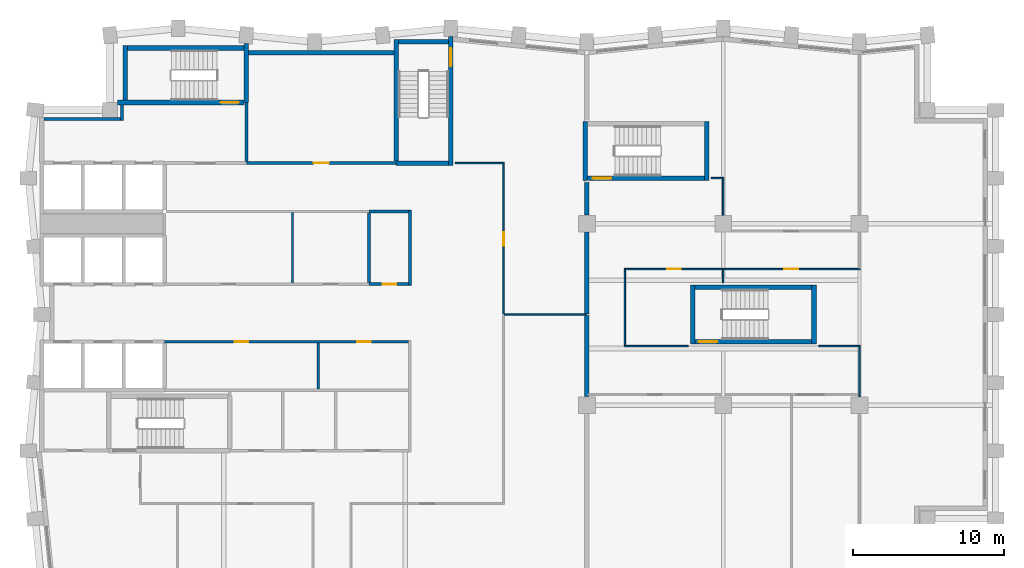
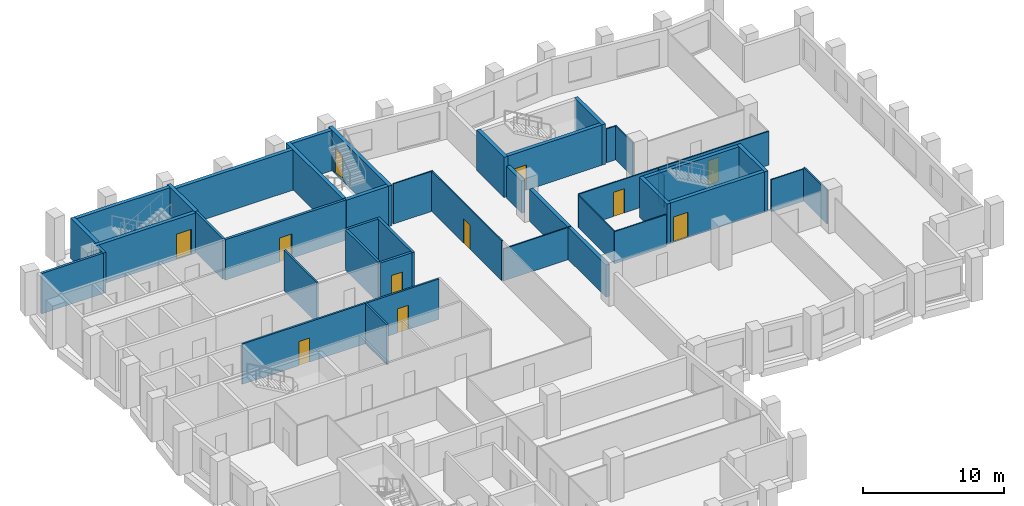
# One storey, part 6 of 10: 42 walls, 11 doors, 11 openings.
"""IFC4 building model written with IfcOpenShell, lengths in metres."""

from ifc_helpers import new_model, si_unit, direction, frame, frame_2d, origin, place, context, subcontext, project, spatial, rectangle, extrude, material, layer, layer_set, type_object, element, fill, save


model = new_model("IFC4")

# Units and contexts
model_context = context("Model", 3, precision=1e-05, world=origin(), true_north=direction((0.0, 1.0)))
body_context = subcontext(model_context, "Body", "Model", "MODEL_VIEW")
ifc_project = project(units=[si_unit("LENGTHUNIT", "METRE"), si_unit("AREAUNIT", "SQUARE_METRE"), si_unit("VOLUMEUNIT", "CUBIC_METRE"), si_unit("PLANEANGLEUNIT", "RADIAN"), si_unit("MASSUNIT", "GRAM", prefix="KILO")], contexts=[model_context])

# Site, building, storey
site_placement = place(None, origin())
site = spatial("IfcSite", under=ifc_project, at=site_placement, CompositionType="ELEMENT")
building_placement = place(site_placement, origin())
building = spatial("IfcBuilding", under=site, at=building_placement, Name="Brondeck Convention Tower", CompositionType="ELEMENT")
storey_placement = place(building_placement, frame((0.0, 0.0, 154.800048828125)))
storey = spatial("IfcBuildingStorey", under=building, at=storey_placement, Name="L37", CompositionType="ELEMENT", Elevation=154.800048828125)

# Walls
ifc_material_1 = material(Name="Concrete compartment wall C30/37", Category="concrete")
ifc_layer_1 = layer(ifc_material_1, 0.300048828125)
ifc_layer_set_1 = layer_set([ifc_layer_1], Name="Compartment wall 300")
wall_type_1 = type_object("IfcWallType", Name="Compartment wall 300", PredefinedType="PARTITIONING", material=ifc_layer_set_1)
wall_1_placement = place(storey_placement, frame((36.0, 39.570068359375, 0.0), z_axis=(0.0, 0.0, 1.0), x_axis=(0.0, 1.0, 0.0)))
element("IfcWall", 1, at=wall_1_placement, inside=storey, type_object=wall_type_1, Name="FLR-L37-W041", PredefinedType="PARTITIONING", context=body_context, shape_type="SweptSolid", body=[
    extrude(rectangle(XDim=5.369873046875, YDim=0.300048828125, at=frame_2d((2.68505859375, 0.0))), origin(), (0.0, 0.0, 1.0), 2.780029296875),
])
wall_2_placement = place(storey_placement, frame((36.0, 45.0400390625, 0.0), z_axis=(0.0, 0.0, 1.0), x_axis=(0.0, 1.0, 0.0)))
element("IfcWall", 2, at=wall_2_placement, inside=storey, type_object=wall_type_1, Name="FLR-L37-W047", PredefinedType="PARTITIONING", context=body_context, shape_type="SweptSolid", body=[
    extrude(rectangle(XDim=5.405029296875, YDim=0.300048828125, at=frame_2d((2.70263671875, 0.0))), origin(), (0.0, 0.0, 1.0), 2.780029296875),
])
wall_3_placement = place(storey_placement, frame((36.0, 51.554931640625, 0.0), z_axis=(0.0, 0.0, 1.0), x_axis=(0.0, 1.0, 0.0)))
element("IfcWall", 3, at=wall_3_placement, inside=storey, type_object=wall_type_1, Name="FLR-L37-W054", PredefinedType="PARTITIONING", context=body_context, shape_type="SweptSolid", body=[
    extrude(rectangle(XDim=2.14501953125, YDim=0.300048828125, at=frame_2d((1.072509765625, 0.0))), origin(), (0.0, 0.0, 1.0), 2.780029296875),
])
ifc_material_2 = material(Name="Concrete C70/85", Category="concrete")
ifc_layer_2 = layer(ifc_material_2, 0.199951171875)
ifc_layer_set_2 = layer_set([ifc_layer_2], Name="Core beam-seat wall 200 Concrete C70/85")
wall_type_2 = type_object("IfcWallType", Name="Core beam-seat wall 200 Concrete C70/85", PredefinedType="SHEAR", material=ifc_layer_set_2)
wall_4_placement = place(storey_placement, frame((24.300048828125, 46.89990234375, 0.0), z_axis=(0.0, 0.0, 1.0), x_axis=(0.0, 1.0, 0.0)))
element("IfcWall", 4, at=wall_4_placement, inside=storey, type_object=wall_type_2, Name="L37 core wall", PredefinedType="SHEAR", context=body_context, shape_type="SweptSolid", body=[
    extrude(rectangle(XDim=5.0, YDim=0.199951171875, at=frame_2d((2.5, 0.0))), origin(), (0.0, 0.0, 1.0), 3.5),
])
ifc_layer_3 = layer(ifc_material_2, 0.300048828125)
ifc_layer_set_3 = layer_set([ifc_layer_3], Name="Core outer wall 300 Concrete C70/85")
wall_type_3 = type_object("IfcWallType", Name="Core outer wall 300 Concrete C70/85", PredefinedType="SHEAR", material=ifc_layer_set_3)
wall_5_placement = place(storey_placement, frame((13.64990234375, 62.300048828125, 0.0), z_axis=(0.0, 0.0, 1.0), x_axis=(1.0, 0.0, 0.0)))
element("IfcWall", 5, at=wall_5_placement, inside=storey, type_object=wall_type_3, Name="L37 core wall", PredefinedType="SHEAR", context=body_context, shape_type="SweptSolid", body=[
    extrude(rectangle(XDim=9.60009765625, YDim=0.300048828125, at=frame_2d((4.800048828125, 0.0))), origin(), (0.0, 0.0, 1.0), 3.5),
])

# Wall, openings, doors
ifc_material_3 = material(Name="Fire-rated gypsum board partition")
ifc_layer_4 = layer(ifc_material_3, 0.14990234375)
ifc_layer_set_4 = layer_set([ifc_layer_4], Name="Core partition 150 EI 60")
wall_type_4 = type_object("IfcWallType", Name="Core partition 150 EI 60", PredefinedType="PARTITIONING", material=ifc_layer_set_4)
wall_6_placement = place(storey_placement, frame((8.10009765625, 43.199951171875, 0.0), z_axis=(0.0, 0.0, 1.0), x_axis=(1.0, 0.0, 0.0)))
wall_6 = element("IfcWall", 6, at=wall_6_placement, inside=storey, type_object=wall_type_4, Name="L37 core wall", PredefinedType="PARTITIONING", context=body_context, shape_type="SweptSolid", body=[
    extrude(rectangle(XDim=16.125, YDim=0.14990234375, at=frame_2d((8.0625, 0.0))), origin(), (0.0, 0.0, 1.0), 3.5),
])
opening_1_placement = place(wall_6_placement, frame((4.625, 0.0, 0.0)))
opening_1 = element("IfcOpeningElement", 7, at=opening_1_placement, cuts=wall_6, Name="Opening C22-09", PredefinedType="OPENING", context=body_context, shape_type="SweptSolid", body=[
    extrude(rectangle(XDim=0.89990234375, YDim=2.10009765625, at=frame_2d((0.449951171875, 1.050048828125))), frame((0.0, 0.0849609375, 0.0), z_axis=(0.0, -1.0, 0.0), x_axis=(1.0, 0.0, 0.0)), (0.0, 0.0, 1.0), 0.169921875),
])
opening_2_placement = place(wall_6_placement, frame((12.72509765625, 0.0, 0.0)))
opening_2 = element("IfcOpeningElement", 8, at=opening_2_placement, cuts=wall_6, Name="Opening C22-10", PredefinedType="OPENING", context=body_context, shape_type="SweptSolid", body=[
    extrude(rectangle(XDim=0.89990234375, YDim=2.10009765625, at=frame_2d((0.449951171875, 1.050048828125))), frame((0.0, 0.0849609375, 0.0), z_axis=(0.0, -1.0, 0.0), x_axis=(1.0, 0.0, 0.0)), (0.0, 0.0, 1.0), 0.169921875),
])
ifc_material_4 = material(Name="Steel fire door", Category="steel")
door_type_1 = type_object("IfcDoorType", Name="Room door 900x2100 EI 60", OperationType="NOTDEFINED", PredefinedType="DOOR", material=ifc_material_4)
door_1_placement = place(opening_1_placement, origin())
door_1 = element("IfcDoor", 9, at=door_1_placement, inside=storey, type_object=door_type_1, Name="L37 Room door FZ-S-8.1-1", OperationType="SINGLE_SWING_RIGHT", OverallHeight=2.10009765625, OverallWidth=0.89990234375, PredefinedType="DOOR", context=body_context, shape_type="SweptSolid", body=[
    extrude(rectangle(XDim=0.89990234375, YDim=2.10009765625, at=frame_2d((0.449951171875, 1.050048828125))), frame((0.0, 0.02490234375, 0.0), z_axis=(0.0, -1.0, 0.0), x_axis=(1.0, 0.0, 0.0)), (0.0, 0.0, 1.0), 0.050048828125),
])
fill(opening_1, door_1)
door_2_placement = place(opening_2_placement, origin())
door_2 = element("IfcDoor", 10, at=door_2_placement, inside=storey, type_object=door_type_1, Name="L37 Room door FZ-S-8.1-2", OperationType="SINGLE_SWING_LEFT", OverallHeight=2.10009765625, OverallWidth=0.89990234375, PredefinedType="DOOR", context=body_context, shape_type="SweptSolid", body=[
    extrude(rectangle(XDim=0.89990234375, YDim=2.10009765625, at=frame_2d((0.449951171875, 1.050048828125))), frame((0.0, 0.02490234375, 0.0), z_axis=(0.0, -1.0, 0.0), x_axis=(1.0, 0.0, 0.0)), (0.0, 0.0, 1.0), 0.050048828125),
])
fill(opening_2, door_2)

# Walls
wall_7_placement = place(storey_placement, frame((16.550048828125, 47.074951171875, 0.0), z_axis=(0.0, 0.0, 1.0), x_axis=(0.0, 1.0, 0.0)))
element("IfcWall", 11, at=wall_7_placement, inside=storey, type_object=wall_type_4, Name="L37 core wall", PredefinedType="PARTITIONING", context=body_context, shape_type="SweptSolid", body=[
    extrude(rectangle(XDim=4.650146484375, YDim=0.14990234375, at=frame_2d((2.3251953125, 0.0))), origin(), (0.0, 0.0, 1.0), 3.5),
])
wall_8_placement = place(storey_placement, frame((18.25, 40.074951171875, 0.0), z_axis=(0.0, 0.0, 1.0), x_axis=(0.0, 1.0, 0.0)))
element("IfcWall", 12, at=wall_8_placement, inside=storey, type_object=wall_type_4, Name="L37 core wall", PredefinedType="PARTITIONING", context=body_context, shape_type="SweptSolid", body=[
    extrude(rectangle(XDim=3.050048828125, YDim=0.14990234375, at=frame_2d((1.52490234375, 0.0))), origin(), (0.0, 0.0, 1.0), 3.5),
])
ifc_layer_5 = layer(ifc_material_3, 0.199951171875)
ifc_layer_set_5 = layer_set([ifc_layer_5], Name="Firefighting lobby wall 200 EI 120")
wall_type_5 = type_object("IfcWallType", Name="Firefighting lobby wall 200 EI 120", PredefinedType="PARTITIONING", material=ifc_layer_set_5)
wall_9_placement = place(storey_placement, frame((0.14990234375, 57.89990234375, 0.0), z_axis=(0.0, 0.0, 1.0), x_axis=(1.0, 0.0, 0.0)))
element("IfcWall", 13, at=wall_9_placement, inside=storey, type_object=wall_type_5, Name="L37 core wall", PredefinedType="PARTITIONING", context=body_context, shape_type="SweptSolid", body=[
    extrude(rectangle(XDim=5.050048828125, YDim=0.199951171875, at=frame_2d((2.52490234375, 0.0))), origin(), (0.0, 0.0, 1.0), 3.5),
])
wall_10_placement = place(storey_placement, frame((5.300048828125, 57.800048828125, 0.0), z_axis=(0.0, 0.0, 1.0), x_axis=(0.0, 1.0, 0.0)))
element("IfcWall", 14, at=wall_10_placement, inside=storey, type_object=wall_type_5, Name="L37 core wall", PredefinedType="PARTITIONING", context=body_context, shape_type="SweptSolid", body=[
    extrude(rectangle(XDim=1.050048828125, YDim=0.199951171875, at=frame_2d((0.52490234375, 0.0))), origin(), (0.0, 0.0, 1.0), 3.5),
])
wall_11_placement = place(storey_placement, frame((13.5, 55.10009765625, 0.0), z_axis=(0.0, 0.0, 1.0), x_axis=(0.0, 1.0, 0.0)))
element("IfcWall", 15, at=wall_11_placement, inside=storey, type_object=wall_type_5, Name="L37 core wall", PredefinedType="PARTITIONING", context=body_context, shape_type="SweptSolid", body=[
    extrude(rectangle(XDim=3.89990234375, YDim=0.199951171875, at=frame_2d((1.949951171875, 0.0))), origin(), (0.0, 0.0, 1.0), 3.5),
])

# Wall, opening, door
ifc_layer_6 = layer(ifc_material_3, 0.199951171875)
ifc_layer_set_6 = layer_set([ifc_layer_6], Name="Riser wall 200 EI 120")
wall_type_6 = type_object("IfcWallType", Name="Riser wall 200 EI 120", PredefinedType="PARTITIONING", material=ifc_layer_set_6)
wall_12_placement = place(storey_placement, frame((21.60009765625, 47.0, 0.0), z_axis=(0.0, 0.0, 1.0), x_axis=(1.0, 0.0, 0.0)))
wall_12 = element("IfcWall", 16, at=wall_12_placement, inside=storey, type_object=wall_type_6, Name="L37 core wall", PredefinedType="PARTITIONING", context=body_context, shape_type="SweptSolid", body=[
    extrude(rectangle(XDim=2.599853515625, YDim=0.199951171875, at=frame_2d((1.2998046875, 0.0))), origin(), (0.0, 0.0, 1.0), 3.5),
])
opening_3_placement = place(wall_12_placement, frame((0.89990234375, 0.0, 0.0)))
opening_3 = element("IfcOpeningElement", 17, at=opening_3_placement, cuts=wall_12, Name="Opening C22-02", PredefinedType="OPENING", context=body_context, shape_type="SweptSolid", body=[
    extrude(rectangle(XDim=0.89990234375, YDim=2.10009765625, at=frame_2d((0.449951171875, 1.050048828125))), frame((0.0, 0.10986328125, 0.0), z_axis=(0.0, -1.0, 0.0), x_axis=(1.0, 0.0, 0.0)), (0.0, 0.0, 1.0), 0.219970703125),
])
door_type_2 = type_object("IfcDoorType", Name="Riser door 900x2100 EI 120", OperationType="NOTDEFINED", PredefinedType="DOOR", material=ifc_material_4)
door_3_placement = place(opening_3_placement, origin())
door_3 = element("IfcDoor", 18, at=door_3_placement, inside=storey, type_object=door_type_2, Name="L37 Riser door EN-1", OperationType="SINGLE_SWING_LEFT", OverallHeight=2.10009765625, OverallWidth=0.89990234375, PredefinedType="DOOR", context=body_context, shape_type="SweptSolid", body=[
    extrude(rectangle(XDim=0.89990234375, YDim=2.10009765625, at=frame_2d((0.449951171875, 1.050048828125))), frame((0.0, 0.02490234375, 0.0), z_axis=(0.0, -1.0, 0.0), x_axis=(1.0, 0.0, 0.0)), (0.0, 0.0, 1.0), 0.050048828125),
])
fill(opening_3, door_3)

# Wall
wall_13_placement = place(storey_placement, frame((21.60009765625, 51.800048828125, 0.0), z_axis=(0.0, 0.0, 1.0), x_axis=(1.0, 0.0, 0.0)))
element("IfcWall", 19, at=wall_13_placement, inside=storey, type_object=wall_type_6, Name="L37 core wall", PredefinedType="PARTITIONING", context=body_context, shape_type="SweptSolid", body=[
    extrude(rectangle(XDim=2.599853515625, YDim=0.199951171875, at=frame_2d((1.2998046875, 0.0))), origin(), (0.0, 0.0, 1.0), 3.5),
])

# Wall, opening, door
wall_14_placement = place(storey_placement, frame((13.5, 55.0, 0.0), z_axis=(0.0, 0.0, 1.0), x_axis=(1.0, 0.0, 0.0)))
wall_14 = element("IfcWall", 20, at=wall_14_placement, inside=storey, type_object=wall_type_6, Name="L37 core wall", PredefinedType="PARTITIONING", context=body_context, shape_type="SweptSolid", body=[
    extrude(rectangle(XDim=9.89990234375, YDim=0.199951171875, at=frame_2d((4.949951171875, 0.0))), origin(), (0.0, 0.0, 1.0), 3.5),
])
opening_4_placement = place(wall_14_placement, frame((4.449951171875, 0.0, 0.0)))
opening_4 = element("IfcOpeningElement", 21, at=opening_4_placement, cuts=wall_14, Name="Opening C22-11", PredefinedType="OPENING", context=body_context, shape_type="SweptSolid", body=[
    extrude(rectangle(XDim=1.0, YDim=2.10009765625, at=frame_2d((0.5, 1.050048828125))), frame((0.0, 0.10986328125, 0.0), z_axis=(0.0, -1.0, 0.0), x_axis=(1.0, 0.0, 0.0)), (0.0, 0.0, 1.0), 0.219970703125),
])
door_type_3 = type_object("IfcDoorType", Name="Riser door 1000x2100 EI 120", OperationType="NOTDEFINED", PredefinedType="DOOR", material=ifc_material_4)
door_4_placement = place(opening_4_placement, origin())
door_4 = element("IfcDoor", 22, at=door_4_placement, inside=storey, type_object=door_type_3, Name="L37 Riser door NE-1", OperationType="SINGLE_SWING_LEFT", OverallHeight=2.10009765625, OverallWidth=1.0, PredefinedType="DOOR", context=body_context, shape_type="SweptSolid", body=[
    extrude(rectangle(XDim=1.0, YDim=2.10009765625, at=frame_2d((0.5, 1.050048828125))), frame((0.0, 0.02490234375, 0.0), z_axis=(0.0, -1.0, 0.0), x_axis=(1.0, 0.0, 0.0)), (0.0, 0.0, 1.0), 0.050048828125),
])
fill(opening_4, door_4)

# Walls
wall_15_placement = place(storey_placement, frame((21.60009765625, 47.10009765625, 0.0), z_axis=(0.0, 0.0, 1.0), x_axis=(0.0, 1.0, 0.0)))
element("IfcWall", 23, at=wall_15_placement, inside=storey, type_object=wall_type_6, Name="L37 core wall", PredefinedType="PARTITIONING", context=body_context, shape_type="SweptSolid", body=[
    extrude(rectangle(XDim=4.599853515625, YDim=0.199951171875, at=frame_2d((2.2998046875, 0.0))), origin(), (0.0, 0.0, 1.0), 3.5),
])
ifc_material_5 = material(Name="Gypsum board partition on steel studs", Category="steel")
ifc_layer_7 = layer(ifc_material_5, 0.10009765625)
ifc_layer_set_7 = layer_set([ifc_layer_7], Name="Room partition 100")
wall_type_7 = type_object("IfcWallType", Name="Room partition 100", PredefinedType="PARTITIONING", material=ifc_layer_set_7)
wall_16_placement = place(storey_placement, frame((54.0, 42.85009765625, 0.0), z_axis=(0.0, 0.0, 1.0), x_axis=(0.0, -1.0, 0.0)))
element("IfcWall", 24, at=wall_16_placement, inside=storey, type_object=wall_type_7, Name="FLR-L37-W042", PredefinedType="PARTITIONING", context=body_context, shape_type="SweptSolid", body=[
    extrude(rectangle(XDim=3.280029296875, YDim=0.10009765625, at=frame_2d((1.64013671875, 0.0))), origin(), (0.0, 0.0, 1.0), 2.929931640625),
])
wall_17_placement = place(storey_placement, frame((38.449951171875, 42.89990234375, 0.0), z_axis=(0.0, 0.0, 1.0), x_axis=(1.0, 0.0, 0.0)))
element("IfcWall", 25, at=wall_17_placement, inside=storey, type_object=wall_type_7, Name="FLR-L37-W043", PredefinedType="PARTITIONING", context=body_context, shape_type="SweptSolid", body=[
    extrude(rectangle(XDim=4.25, YDim=0.10009765625, at=frame_2d((2.125, 0.0))), origin(), (0.0, 0.0, 1.0), 2.780029296875),
])
wall_18_placement = place(storey_placement, frame((51.300048828125, 42.89990234375, 0.0), z_axis=(0.0, 0.0, 1.0), x_axis=(1.0, 0.0, 0.0)))
element("IfcWall", 26, at=wall_18_placement, inside=storey, type_object=wall_type_7, Name="FLR-L37-W044", PredefinedType="PARTITIONING", context=body_context, shape_type="SweptSolid", body=[
    extrude(rectangle(XDim=2.75, YDim=0.10009765625, at=frame_2d((1.375, 0.0))), origin(), (0.0, 0.0, 1.0), 2.780029296875),
])
wall_19_placement = place(storey_placement, frame((30.550048828125, 44.989990234375, 0.0), z_axis=(0.0, 0.0, 1.0), x_axis=(1.0, 0.0, 0.0)))
element("IfcWall", 27, at=wall_19_placement, inside=storey, type_object=wall_type_7, Name="FLR-L37-W046", PredefinedType="PARTITIONING", context=body_context, shape_type="SweptSolid", body=[
    extrude(rectangle(XDim=5.39990234375, YDim=0.10009765625, at=frame_2d((2.699951171875, 0.0))), origin(), (0.0, 0.0, 1.0), 2.780029296875),
])
wall_20_placement = place(storey_placement, frame((38.5, 47.949951171875, 0.0), z_axis=(0.0, 0.0, 1.0), x_axis=(0.0, -1.0, 0.0)))
element("IfcWall", 28, at=wall_20_placement, inside=storey, type_object=wall_type_7, Name="FLR-L37-W048", PredefinedType="PARTITIONING", context=body_context, shape_type="SweptSolid", body=[
    extrude(rectangle(XDim=5.0, YDim=0.10009765625, at=frame_2d((2.5, 0.0))), origin(), (0.0, 0.0, 1.0), 2.780029296875),
])
wall_21_placement = place(storey_placement, frame((45.0, 47.949951171875, 0.0), z_axis=(0.0, 0.0, 1.0), x_axis=(0.0, -1.0, 0.0)))
element("IfcWall", 29, at=wall_21_placement, inside=storey, type_object=wall_type_7, Name="FLR-L37-W049", PredefinedType="PARTITIONING", context=body_context, shape_type="SweptSolid", body=[
    extrude(rectangle(XDim=0.849853515625, YDim=0.10009765625, at=frame_2d((0.4248046875, 0.0))), origin(), (0.0, 0.0, 1.0), 2.780029296875),
])

# Wall, opening, door
wall_22_placement = place(storey_placement, frame((45.0, 48.0, 0.0), z_axis=(0.0, 0.0, 1.0), x_axis=(-1.0, 0.0, 0.0)))
wall_22 = element("IfcWall", 30, at=wall_22_placement, inside=storey, type_object=wall_type_7, Name="FLR-L37-W050", PredefinedType="PARTITIONING", context=body_context, shape_type="SweptSolid", body=[
    extrude(rectangle(XDim=6.550048828125, YDim=0.10009765625, at=frame_2d((3.27490234375, 0.0))), origin(), (0.0, 0.0, 1.0), 2.929931640625),
])
opening_5_placement = place(wall_22_placement, frame((2.800048828125, 0.0, 0.0)))
opening_5 = element("IfcOpeningElement", 31, at=opening_5_placement, cuts=wall_22, Name="Opening OF-G-002", PredefinedType="OPENING", context=body_context, shape_type="SweptSolid", body=[
    extrude(rectangle(XDim=0.89990234375, YDim=2.10009765625, at=frame_2d((0.449951171875, 1.050048828125))), frame((0.0, 0.06005859375, 0.0), z_axis=(0.0, -1.0, 0.0), x_axis=(1.0, 0.0, 0.0)), (0.0, 0.0, 1.0), 0.1201171875),
])
ifc_material_6 = material(Name="Solid timber door leaf", Category="wood")
door_type_4 = type_object("IfcDoorType", Name="Single door 900", OperationType="NOTDEFINED", PredefinedType="DOOR", material=ifc_material_6)
door_5_placement = place(opening_5_placement, origin())
door_5 = element("IfcDoor", 32, at=door_5_placement, inside=storey, type_object=door_type_4, Name="Door OF-G-002", OperationType="SINGLE_SWING_RIGHT", OverallHeight=2.10009765625, OverallWidth=0.89990234375, PredefinedType="DOOR", context=body_context, shape_type="SweptSolid", body=[
    extrude(rectangle(XDim=0.89990234375, YDim=2.10009765625, at=frame_2d((0.449951171875, 1.050048828125))), frame((0.0, 0.02490234375, 0.0), z_axis=(0.0, -1.0, 0.0), x_axis=(1.0, 0.0, 0.0)), (0.0, 0.0, 1.0), 0.050048828125),
])
fill(opening_5, door_5)

wall_23_placement = place(storey_placement, frame((54.050048828125, 48.0, 0.0), z_axis=(0.0, 0.0, 1.0), x_axis=(-1.0, 0.0, 0.0)))
wall_23 = element("IfcWall", 33, at=wall_23_placement, inside=storey, type_object=wall_type_7, Name="FLR-L37-W051", PredefinedType="PARTITIONING", context=body_context, shape_type="SweptSolid", body=[
    extrude(rectangle(XDim=9.050048828125, YDim=0.10009765625, at=frame_2d((4.52490234375, 0.0))), origin(), (0.0, 0.0, 1.0), 2.929931640625),
])
opening_6_placement = place(wall_23_placement, frame((4.10009765625, 0.0, 0.0)))
opening_6 = element("IfcOpeningElement", 34, at=opening_6_placement, cuts=wall_23, Name="Opening OF-G-005", PredefinedType="OPENING", context=body_context, shape_type="SweptSolid", body=[
    extrude(rectangle(XDim=0.89990234375, YDim=2.10009765625, at=frame_2d((0.449951171875, 1.050048828125))), frame((0.0, 0.06005859375, 0.0), z_axis=(0.0, -1.0, 0.0), x_axis=(1.0, 0.0, 0.0)), (0.0, 0.0, 1.0), 0.1201171875),
])
door_6_placement = place(opening_6_placement, origin())
door_6 = element("IfcDoor", 35, at=door_6_placement, inside=storey, type_object=door_type_4, Name="Door OF-G-005", OperationType="SINGLE_SWING_RIGHT", OverallHeight=2.10009765625, OverallWidth=0.89990234375, PredefinedType="DOOR", context=body_context, shape_type="SweptSolid", body=[
    extrude(rectangle(XDim=0.89990234375, YDim=2.10009765625, at=frame_2d((0.449951171875, 1.050048828125))), frame((0.0, 0.02490234375, 0.0), z_axis=(0.0, -1.0, 0.0), x_axis=(1.0, 0.0, 0.0)), (0.0, 0.0, 1.0), 0.050048828125),
])
fill(opening_6, door_6)

# Walls
wall_24_placement = place(storey_placement, frame((45.0, 53.949951171875, 0.0), z_axis=(0.0, 0.0, 1.0), x_axis=(0.0, -1.0, 0.0)))
element("IfcWall", 36, at=wall_24_placement, inside=storey, type_object=wall_type_7, Name="FLR-L37-W056", PredefinedType="PARTITIONING", context=body_context, shape_type="SweptSolid", body=[
    extrude(rectangle(XDim=2.39501953125, YDim=0.10009765625, at=frame_2d((1.197509765625, 0.0))), origin(), (0.0, 0.0, 1.0), 2.929931640625),
])
wall_25_placement = place(storey_placement, frame((44.199951171875, 54.0, 0.0), z_axis=(0.0, 0.0, 1.0), x_axis=(1.0, 0.0, 0.0)))
element("IfcWall", 37, at=wall_25_placement, inside=storey, type_object=wall_type_7, Name="FLR-L37-W057", PredefinedType="PARTITIONING", context=body_context, shape_type="SweptSolid", body=[
    extrude(rectangle(XDim=0.85009765625, YDim=0.10009765625, at=frame_2d((0.425048828125, 0.0))), origin(), (0.0, 0.0, 1.0), 2.929931640625),
])

# Wall, opening, door
wall_26_placement = place(storey_placement, frame((30.5, 54.949951171875, 0.0), z_axis=(0.0, 0.0, 1.0), x_axis=(0.0, -1.0, 0.0)))
wall_26 = element("IfcWall", 38, at=wall_26_placement, inside=storey, type_object=wall_type_7, Name="FLR-L37-W058", PredefinedType="PARTITIONING", context=body_context, shape_type="SweptSolid", body=[
    extrude(rectangle(XDim=9.909912109375, YDim=0.10009765625, at=frame_2d((4.955078125, 0.0))), origin(), (0.0, 0.0, 1.0), 3.47998046875),
])
opening_7_placement = place(wall_26_placement, frame((4.5048828125, 0.0, 0.0)))
opening_7 = element("IfcOpeningElement", 39, at=opening_7_placement, cuts=wall_26, Name="Opening OF-G-016", PredefinedType="OPENING", context=body_context, shape_type="SweptSolid", body=[
    extrude(rectangle(XDim=0.89990234375, YDim=2.10009765625, at=frame_2d((0.449951171875, 1.050048828125))), frame((0.0, 0.06005859375, 0.0), z_axis=(0.0, -1.0, 0.0), x_axis=(1.0, 0.0, 0.0)), (0.0, 0.0, 1.0), 0.1201171875),
])
door_7_placement = place(opening_7_placement, origin())
door_7 = element("IfcDoor", 40, at=door_7_placement, inside=storey, type_object=door_type_4, Name="Door OF-G-016", OperationType="SINGLE_SWING_LEFT", OverallHeight=2.10009765625, OverallWidth=0.89990234375, PredefinedType="DOOR", context=body_context, shape_type="SweptSolid", body=[
    extrude(rectangle(XDim=0.89990234375, YDim=2.10009765625, at=frame_2d((0.449951171875, 1.050048828125))), frame((0.0, 0.02490234375, 0.0), z_axis=(0.0, -1.0, 0.0), x_axis=(1.0, 0.0, 0.0)), (0.0, 0.0, 1.0), 0.050048828125),
])
fill(opening_7, door_7)

# Wall
wall_27_placement = place(storey_placement, frame((27.300048828125, 55.0, 0.0), z_axis=(0.0, 0.0, 1.0), x_axis=(1.0, 0.0, 0.0)))
element("IfcWall", 41, at=wall_27_placement, inside=storey, type_object=wall_type_7, Name="FLR-L37-W059", PredefinedType="PARTITIONING", context=body_context, shape_type="SweptSolid", body=[
    extrude(rectangle(XDim=3.25, YDim=0.10009765625, at=frame_2d((1.625, 0.0))), origin(), (0.0, 0.0, 1.0), 3.47998046875),
])

# Wall, opening, door
ifc_layer_8 = layer(ifc_material_2, 0.300048828125)
ifc_layer_set_8 = layer_set([ifc_layer_8], Name="Stair enclosure wall 300 Concrete C70/85")
wall_type_8 = type_object("IfcWallType", Name="Stair enclosure wall 300 Concrete C70/85", PredefinedType="SHEAR", material=ifc_layer_set_8)
wall_28_placement = place(storey_placement, frame((43.14990234375, 43.199951171875, 0.0), z_axis=(0.0, 0.0, 1.0), x_axis=(1.0, 0.0, 0.0)))
wall_28 = element("IfcWall", 42, at=wall_28_placement, inside=storey, type_object=wall_type_8, Name="L37 core wall", PredefinedType="SHEAR", context=body_context, shape_type="SweptSolid", body=[
    extrude(rectangle(XDim=7.7001953125, YDim=0.300048828125, at=frame_2d((3.85009765625, 0.0))), origin(), (0.0, 0.0, 1.0), 3.5),
])
opening_8_placement = place(wall_28_placement, frame((0.25, 0.0, 0.0)))
opening_8 = element("IfcOpeningElement", 43, at=opening_8_placement, cuts=wall_28, Name="Opening C22-16", PredefinedType="OPENING", context=body_context, shape_type="SweptSolid", body=[
    extrude(rectangle(XDim=1.199951171875, YDim=2.199951171875, at=frame_2d((0.60009765625, 1.10009765625))), frame((0.0, 0.159912109375, 0.0), z_axis=(0.0, -1.0, 0.0), x_axis=(1.0, 0.0, 0.0)), (0.0, 0.0, 1.0), 0.320068359375),
])
door_type_5 = type_object("IfcDoorType", Name="Stair door 1200x2200 EI 90", OperationType="NOTDEFINED", PredefinedType="DOOR", material=ifc_material_4)
door_8_placement = place(opening_8_placement, origin())
door_8 = element("IfcDoor", 44, at=door_8_placement, inside=storey, type_object=door_type_5, Name="L37 Stair door ST-AF", OperationType="SINGLE_SWING_RIGHT", OverallHeight=2.199951171875, OverallWidth=1.199951171875, PredefinedType="DOOR", context=body_context, shape_type="SweptSolid", body=[
    extrude(rectangle(XDim=1.199951171875, YDim=2.199951171875, at=frame_2d((0.60009765625, 1.10009765625))), frame((0.0, 0.02490234375, 0.0), z_axis=(0.0, -1.0, 0.0), x_axis=(1.0, 0.0, 0.0)), (0.0, 0.0, 1.0), 0.050048828125),
])
fill(opening_8, door_8)

# Wall
wall_29_placement = place(storey_placement, frame((43.14990234375, 46.800048828125, 0.0), z_axis=(0.0, 0.0, 1.0), x_axis=(1.0, 0.0, 0.0)))
element("IfcWall", 45, at=wall_29_placement, inside=storey, type_object=wall_type_8, Name="L37 core wall", PredefinedType="SHEAR", context=body_context, shape_type="SweptSolid", body=[
    extrude(rectangle(XDim=7.7001953125, YDim=0.300048828125, at=frame_2d((3.85009765625, 0.0))), origin(), (0.0, 0.0, 1.0), 3.5),
])

# Wall, opening, door
wall_30_placement = place(storey_placement, frame((36.050048828125, 54.0, 0.0), z_axis=(0.0, 0.0, 1.0), x_axis=(1.0, 0.0, 0.0)))
wall_30 = element("IfcWall", 46, at=wall_30_placement, inside=storey, type_object=wall_type_8, Name="L37 core wall", PredefinedType="SHEAR", context=body_context, shape_type="SweptSolid", body=[
    extrude(rectangle(XDim=7.699951171875, YDim=0.300048828125, at=frame_2d((3.85009765625, 0.0))), origin(), (0.0, 0.0, 1.0), 3.5),
])
opening_9_placement = place(wall_30_placement, frame((0.35009765625, 0.0, 0.0)))
opening_9 = element("IfcOpeningElement", 47, at=opening_9_placement, cuts=wall_30, Name="Opening C22-15", PredefinedType="OPENING", context=body_context, shape_type="SweptSolid", body=[
    extrude(rectangle(XDim=1.199951171875, YDim=2.199951171875, at=frame_2d((0.60009765625, 1.10009765625))), frame((0.0, 0.159912109375, 0.0), z_axis=(0.0, -1.0, 0.0), x_axis=(1.0, 0.0, 0.0)), (0.0, 0.0, 1.0), 0.320068359375),
])
door_9_placement = place(opening_9_placement, origin())
door_9 = element("IfcDoor", 48, at=door_9_placement, inside=storey, type_object=door_type_5, Name="L37 Stair door ST-AE", OperationType="SINGLE_SWING_LEFT", OverallHeight=2.199951171875, OverallWidth=1.199951171875, PredefinedType="DOOR", context=body_context, shape_type="SweptSolid", body=[
    extrude(rectangle(XDim=1.199951171875, YDim=2.199951171875, at=frame_2d((0.60009765625, 1.10009765625))), frame((0.0, 0.02490234375, 0.0), z_axis=(0.0, -1.0, 0.0), x_axis=(1.0, 0.0, 0.0)), (0.0, 0.0, 1.0), 0.050048828125),
])
fill(opening_9, door_9)

# Wall
wall_31_placement = place(storey_placement, frame((23.39990234375, 55.0, 0.0), z_axis=(0.0, 0.0, 1.0), x_axis=(1.0, 0.0, 0.0)))
element("IfcWall", 49, at=wall_31_placement, inside=storey, type_object=wall_type_8, Name="L37 core wall", PredefinedType="SHEAR", context=body_context, shape_type="SweptSolid", body=[
    extrude(rectangle(XDim=3.4501953125, YDim=0.300048828125, at=frame_2d((1.72509765625, 0.0))), origin(), (0.0, 0.0, 1.0), 3.5),
])

# Wall, opening, door
wall_32_placement = place(storey_placement, frame((5.0, 59.0, 0.0), z_axis=(0.0, 0.0, 1.0), x_axis=(1.0, 0.0, 0.0)))
wall_32 = element("IfcWall", 50, at=wall_32_placement, inside=storey, type_object=wall_type_8, Name="L37 core wall", PredefinedType="SHEAR", context=body_context, shape_type="SweptSolid", body=[
    extrude(rectangle(XDim=8.35009765625, YDim=0.300048828125, at=frame_2d((4.175048828125, 0.0))), origin(), (0.0, 0.0, 1.0), 3.5),
])
opening_10_placement = place(wall_32_placement, frame((6.800048828125, 0.0, 0.0)))
opening_10 = element("IfcOpeningElement", 51, at=opening_10_placement, cuts=wall_32, Name="Opening C22-14", PredefinedType="OPENING", context=body_context, shape_type="SweptSolid", body=[
    extrude(rectangle(XDim=1.199951171875, YDim=2.199951171875, at=frame_2d((0.60009765625, 1.10009765625))), frame((0.0, 0.159912109375, 0.0), z_axis=(0.0, -1.0, 0.0), x_axis=(1.0, 0.0, 0.0)), (0.0, 0.0, 1.0), 0.320068359375),
])
door_type_6 = type_object("IfcDoorType", Name="Stair door 1200x2200 EI 120", OperationType="NOTDEFINED", PredefinedType="DOOR", material=ifc_material_4)
door_10_placement = place(opening_10_placement, origin())
door_10 = element("IfcDoor", 52, at=door_10_placement, inside=storey, type_object=door_type_6, Name="L37 Stair door ST-3", OperationType="SINGLE_SWING_RIGHT", OverallHeight=2.199951171875, OverallWidth=1.199951171875, PredefinedType="DOOR", context=body_context, shape_type="SweptSolid", body=[
    extrude(rectangle(XDim=1.199951171875, YDim=2.199951171875, at=frame_2d((0.60009765625, 1.10009765625))), frame((0.0, 0.02490234375, 0.0), z_axis=(0.0, -1.0, 0.0), x_axis=(1.0, 0.0, 0.0)), (0.0, 0.0, 1.0), 0.050048828125),
])
fill(opening_10, door_10)

# Walls
wall_33_placement = place(storey_placement, frame((5.64990234375, 62.60009765625, 0.0), z_axis=(0.0, 0.0, 1.0), x_axis=(1.0, 0.0, 0.0)))
element("IfcWall", 53, at=wall_33_placement, inside=storey, type_object=wall_type_8, Name="L37 core wall", PredefinedType="SHEAR", context=body_context, shape_type="SweptSolid", body=[
    extrude(rectangle(XDim=7.7001953125, YDim=0.300048828125, at=frame_2d((3.85009765625, 0.0))), origin(), (0.0, 0.0, 1.0), 3.5),
])
wall_34_placement = place(storey_placement, frame((23.550048828125, 63.0, 0.0), z_axis=(0.0, 0.0, 1.0), x_axis=(1.0, 0.0, 0.0)))
element("IfcWall", 54, at=wall_34_placement, inside=storey, type_object=wall_type_8, Name="L37 core wall", PredefinedType="SHEAR", context=body_context, shape_type="SweptSolid", body=[
    extrude(rectangle(XDim=3.300048828125, YDim=0.300048828125, at=frame_2d((1.64990234375, 0.0))), origin(), (0.0, 0.0, 1.0), 3.5),
])
wall_35_placement = place(storey_placement, frame((5.5, 59.14990234375, 0.0), z_axis=(0.0, 0.0, 1.0), x_axis=(0.0, 1.0, 0.0)))
element("IfcWall", 55, at=wall_35_placement, inside=storey, type_object=wall_type_8, Name="L37 core wall", PredefinedType="SHEAR", context=body_context, shape_type="SweptSolid", body=[
    extrude(rectangle(XDim=3.60009765625, YDim=0.300048828125, at=frame_2d((1.800048828125, 0.0))), origin(), (0.0, 0.0, 1.0), 3.5),
])
wall_36_placement = place(storey_placement, frame((13.5, 59.0, 0.0), z_axis=(0.0, 0.0, 1.0), x_axis=(0.0, 1.0, 0.0)))
element("IfcWall", 56, at=wall_36_placement, inside=storey, type_object=wall_type_8, Name="L37 core wall", PredefinedType="SHEAR", context=body_context, shape_type="SweptSolid", body=[
    extrude(rectangle(XDim=3.897216796875, YDim=0.300048828125, at=frame_2d((1.94873046875, 0.0))), origin(), (0.0, 0.0, 1.0), 3.5),
])
wall_37_placement = place(storey_placement, frame((23.39990234375, 55.14990234375, 0.0), z_axis=(0.0, 0.0, 1.0), x_axis=(0.0, 1.0, 0.0)))
element("IfcWall", 57, at=wall_37_placement, inside=storey, type_object=wall_type_8, Name="L37 core wall", PredefinedType="SHEAR", context=body_context, shape_type="SweptSolid", body=[
    extrude(rectangle(XDim=8.0, YDim=0.300048828125, at=frame_2d((4.0, 0.0))), origin(), (0.0, 0.0, 1.0), 3.5),
])

# Wall, opening, door
wall_38_placement = place(storey_placement, frame((27.0, 54.85009765625, 0.0), z_axis=(0.0, 0.0, 1.0), x_axis=(0.0, 1.0, 0.0)))
wall_38 = element("IfcWall", 58, at=wall_38_placement, inside=storey, type_object=wall_type_8, Name="L37 core wall", PredefinedType="SHEAR", context=body_context, shape_type="SweptSolid", body=[
    extrude(rectangle(XDim=8.5, YDim=0.300048828125, at=frame_2d((4.25, 0.0))), origin(), (0.0, 0.0, 1.0), 3.5),
])
opening_11_placement = place(wall_38_placement, frame((6.550048828125, 0.0, 0.0)))
opening_11 = element("IfcOpeningElement", 59, at=opening_11_placement, cuts=wall_38, Name="Opening C22-13", PredefinedType="OPENING", context=body_context, shape_type="SweptSolid", body=[
    extrude(rectangle(XDim=1.199951171875, YDim=2.199951171875, at=frame_2d((0.60009765625, 1.10009765625))), frame((0.0, 0.159912109375, 0.0), z_axis=(0.0, -1.0, 0.0), x_axis=(1.0, 0.0, 0.0)), (0.0, 0.0, 1.0), 0.320068359375),
])
door_11_placement = place(opening_11_placement, origin())
door_11 = element("IfcDoor", 60, at=door_11_placement, inside=storey, type_object=door_type_5, Name="L37 Stair door ST-2", OperationType="SINGLE_SWING_LEFT", OverallHeight=2.199951171875, OverallWidth=1.199951171875, PredefinedType="DOOR", context=body_context, shape_type="SweptSolid", body=[
    extrude(rectangle(XDim=1.199951171875, YDim=2.199951171875, at=frame_2d((0.60009765625, 1.10009765625))), frame((0.0, 0.02490234375, 0.0), z_axis=(0.0, -1.0, 0.0), x_axis=(1.0, 0.0, 0.0)), (0.0, 0.0, 1.0), 0.050048828125),
])
fill(opening_11, door_11)

# Walls
for number, where, z_axis, x_axis, name in (
    (61, (35.89990234375, 53.85009765625, 0.0), (0.0, 0.0, 1.0), (0.0, 1.0, 0.0), "L37 core wall"),
    (62, (43.0, 43.050048828125, 0.0), (0.0, 0.0, 1.0), (0.0, 1.0, 0.0), "L37 core wall"),
    (63, (43.89990234375, 53.85009765625, 0.0), (0.0, 0.0, 1.0), (0.0, 1.0, 0.0), "L37 core wall"),
    (64, (51.0, 43.050048828125, 0.0), (0.0, 0.0, 1.0), (0.0, 1.0, 0.0), "L37 core wall"),
):
    element("IfcWall", number, at=place(storey_placement, frame(where, z_axis=z_axis, x_axis=x_axis)), inside=storey, type_object=wall_type_8, Name=name, PredefinedType="SHEAR", context=body_context, shape_type="SweptSolid", body=[
        extrude(rectangle(XDim=3.89990234375, YDim=0.300048828125, at=frame_2d((1.949951171875, 0.0))), origin(), (0.0, 0.0, 1.0), 3.5),
    ])

save(model, "model.ifc")
